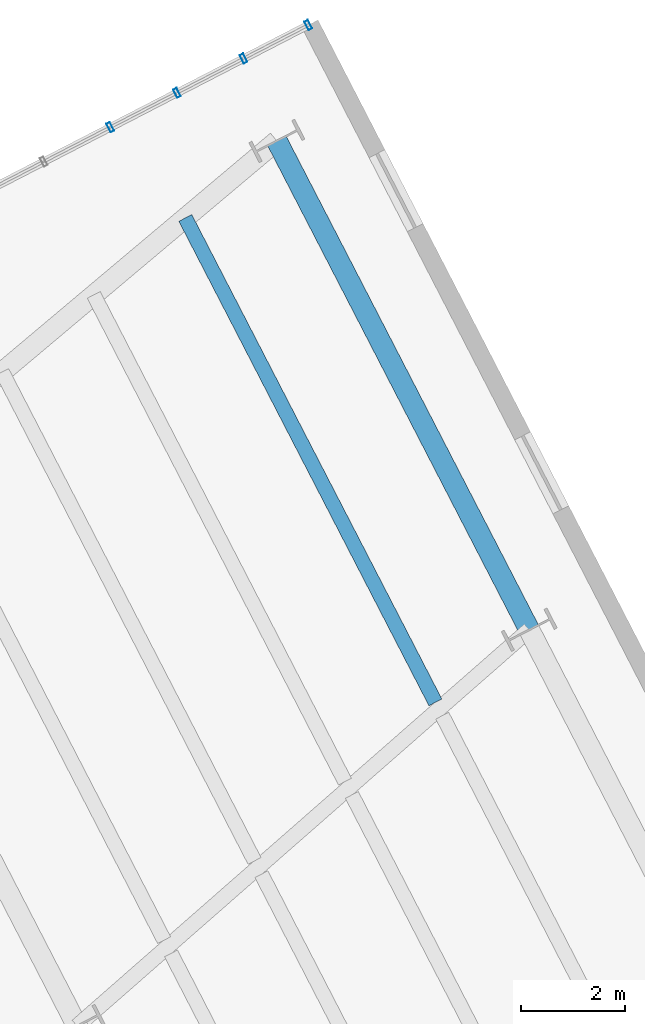
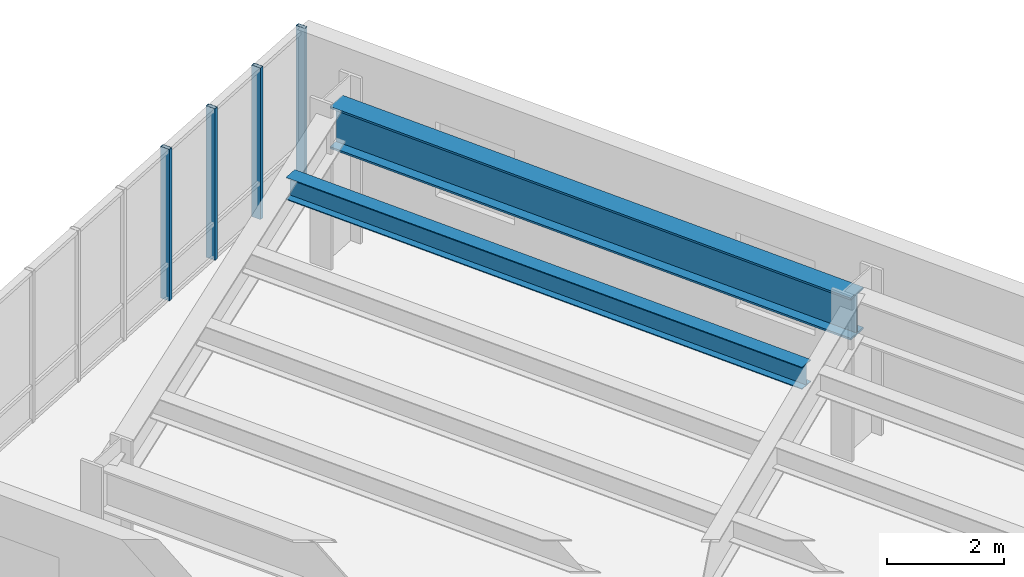
# One storey, part 4 of 11: 4 members, 2 beams, 1 element without a shape of its own.
"""IFC4 building model written with IfcOpenShell, lengths in metres."""

import ifcopenshell
import ifcopenshell.guid

model = None  # the IFC model being written
_history = None  # IfcOwnerHistory: only IFC2X3 demands one
_inside = {}  # id of a spatial element -> (the spatial element, [elements in it])
_under = {}  # id of a project, library or spatial element -> (it, [spatial elements below it])
_declared = {}  # id of a project -> (the project, [libraries it declares])
_typed = {}  # id of a type object -> (the type object, [elements of that type])
_made_of = {}  # id of a material, layer set ... -> (it, [elements and type objects made of it])


def new_model(schema):
    """Start an empty IFC model of exactly this schema.

    Asked for "IFC4X3", IfcOpenShell would pick the latest addendum, in which some entities
    have other attributes; the version numbers below select the first issue.
    IFC2X3 requires an IfcOwnerHistory on every rooted entity: one is made here for all.
    """
    global model, _history
    if schema == "IFC4X3":
        model = ifcopenshell.file(schema_version=(4, 3, 0, 0))
    else:
        model = ifcopenshell.file(schema=schema)
    _inside.clear()
    _under.clear()
    _declared.clear()
    _typed.clear()
    _made_of.clear()
    _history = None
    if model.schema == "IFC2X3":
        org = make("IfcOrganization", Name="unknown")
        user = make(
            "IfcPersonAndOrganization",
            ThePerson=make("IfcPerson", FamilyName="unknown"),
            TheOrganization=org,
        )
        app = make(
            "IfcApplication",
            ApplicationDeveloper=org,
            Version="unknown",
            ApplicationFullName="unknown",
            ApplicationIdentifier="unknown",
        )
        _history = make(
            "IfcOwnerHistory",
            OwningUser=user,
            OwningApplication=app,
            ChangeAction="ADDED",
            CreationDate=0,
        )
    return model


def make(cls, **values):
    """One entity of the class cls with the attributes given. An attribute that is None is left unset."""
    return model.create_entity(
        cls, **{name: value for name, value in values.items() if value is not None}
    )


def rooted(cls, **values):
    """An entity with a GlobalId (a new one), such as an element, a storey or a relation."""
    return make(cls, GlobalId=ifcopenshell.guid.new(), OwnerHistory=_history, **values)


def si_unit(unit_type, name, prefix=None):
    """IfcSIUnit, for example si_unit("LENGTHUNIT", "METRE", prefix="MILLI")."""
    return make("IfcSIUnit", UnitType=unit_type, Prefix=prefix, Name=name)


def assignment(units):
    """IfcUnitAssignment: the units of a project."""
    return None if units is None else make("IfcUnitAssignment", Units=units)


def point(xyz):
    """IfcCartesianPoint."""
    return None if xyz is None else make("IfcCartesianPoint", Coordinates=xyz)


def direction(xyz):
    """IfcDirection."""
    return None if xyz is None else make("IfcDirection", DirectionRatios=xyz)


def frame(location, z_axis=None, x_axis=None):
    """IfcAxis2Placement3D, a coordinate frame: its origin and axes. An axis left out is left unset."""
    return make(
        "IfcAxis2Placement3D",
        Location=point(location),
        Axis=direction(z_axis),
        RefDirection=direction(x_axis),
    )


def frame_2d(location, x_axis=None):
    """IfcAxis2Placement2D, a coordinate frame in the plane: its origin and x axis."""
    return make(
        "IfcAxis2Placement2D", Location=point(location), RefDirection=direction(x_axis)
    )


def origin():
    """The frame at (0, 0, 0) with its axes left unset."""
    return frame((0.0, 0.0, 0.0))


def origin_2d():
    """The frame at (0, 0) in the plane with its x axis left unset."""
    return frame_2d((0.0, 0.0))


def place(relative_to, where):
    """IfcLocalPlacement: puts the frame where relative to a parent placement (None: the world)."""
    return make(
        "IfcLocalPlacement", PlacementRelTo=relative_to, RelativePlacement=where
    )


def context(
    kind, dimensions, precision=None, world=None, true_north=None, identifier=None
):
    """IfcGeometricRepresentationContext, for example the 3D "Model" context."""
    return make(
        "IfcGeometricRepresentationContext",
        ContextIdentifier=identifier,
        ContextType=kind,
        CoordinateSpaceDimension=dimensions,
        Precision=precision,
        WorldCoordinateSystem=world,
        TrueNorth=true_north,
    )


def subcontext(parent, identifier, kind, view, scale=None):
    """IfcGeometricRepresentationSubContext, for example "Body" below "Model"."""
    return make(
        "IfcGeometricRepresentationSubContext",
        ContextIdentifier=identifier,
        ContextType=kind,
        ParentContext=parent,
        TargetScale=scale,
        TargetView=view,
    )


def project(units=None, contexts=None):
    """IfcProject with its units and contexts."""
    return rooted(
        "IfcProject",
        Name="project",
        RepresentationContexts=contexts,
        UnitsInContext=assignment(units),
    )


def spatial(cls, under=None, at=None, **own):
    """A site, building, storey or space (cls), placed at a placement, below another one or the project."""
    s = rooted(cls, ObjectPlacement=at, **own)
    if under is not None:
        _under.setdefault(under.id(), (under, []))[1].append(s)
    return s


def profile(cls, at=None, kind="AREA", **sizes):
    """A parametric profile (cls). Its sizes go by their IFC names, for example OverallWidth=200.0."""
    return make(cls, ProfileType=kind, Position=at, **sizes)


def hollow_rectangle(**sizes):
    """IfcRectangleHollowProfileDef."""
    return profile("IfcRectangleHollowProfileDef", **sizes)


def i_section(**sizes):
    """IfcIShapeProfileDef."""
    return profile("IfcIShapeProfileDef", **sizes)


def extrude(swept, where, along, depth):
    """IfcExtrudedAreaSolid: the profile swept, set in the frame where, extruded along a direction by depth."""
    return make(
        "IfcExtrudedAreaSolid",
        SweptArea=swept,
        Position=where,
        ExtrudedDirection=direction(along),
        Depth=depth,
    )


def shape(context_of_items, identifier, shape_type, items):
    """IfcShapeRepresentation: the items that make up one representation, for example the "Body"."""
    return make(
        "IfcShapeRepresentation",
        ContextOfItems=context_of_items,
        RepresentationIdentifier=identifier,
        RepresentationType=shape_type,
        Items=items,
    )


def material(Name=None, Category=None):
    """IfcMaterial."""
    return make("IfcMaterial", Name=Name, Category=Category)


def layer(
    of_material, thickness, ventilated=None, Name=None, Category=None, Priority=None
):
    """IfcMaterialLayer: one layer of a wall or slab, of a material (None: an air gap)."""
    return make(
        "IfcMaterialLayer",
        Material=of_material,
        LayerThickness=thickness,
        IsVentilated=ventilated,
        Name=Name,
        Category=Category,
        Priority=Priority,
    )


def layer_set(layers, Name=None):
    """IfcMaterialLayerSet."""
    return make("IfcMaterialLayerSet", MaterialLayers=layers, LayerSetName=Name)


def material_profile(
    of_material, cross_section, Name=None, Category=None, Priority=None
):
    """IfcMaterialProfile: a cross section and its material."""
    return make(
        "IfcMaterialProfile",
        Name=Name,
        Material=of_material,
        Profile=cross_section,
        Priority=Priority,
        Category=Category,
    )


def profile_set(profiles, Name=None, composite=None):
    """IfcMaterialProfileSet."""
    return make(
        "IfcMaterialProfileSet",
        Name=Name,
        MaterialProfiles=profiles,
        CompositeProfile=composite,
    )


def made_of(thing, what):
    """Note that an element or type object is made of a material, layer set ...; save() writes the relation."""
    if what is not None:
        _made_of.setdefault(what.id(), (what, []))[1].append(thing)
    return thing


def type_object(cls, material=None, **own):
    """A type object (cls), such as IfcWallType, which elements share."""
    return made_of(rooted(cls, **own), material)


def element(
    cls,
    number,
    at=None,
    inside=None,
    cuts=None,
    type_object=None,
    material=None,
    context=None,
    identifier="Body",
    shape_type=None,
    held_by="IfcProductDefinitionShape",
    body=None,
    shapes=None,
    **own,
):
    """One element of the class cls, such as IfcWall. Its Tag is "e" and its number.

    at: its placement. inside: the storey or other place that contains it. cuts: it is an
    opening in that element (IfcRelVoidsElement). A single representation is given by context,
    identifier, shape_type and body (its items); several are given by shapes. held_by: the class
    of the entity that holds the representations. save() writes the other relations.
    """
    e = rooted(cls, Tag="e%d" % number, ObjectPlacement=at, **own)
    if body is not None:
        shapes = [shape(context, identifier, shape_type, body)]
    if shapes is not None:
        e.Representation = make(held_by, Representations=shapes)
    if inside is not None:
        _inside.setdefault(inside.id(), (inside, []))[1].append(e)
    if cuts is not None:
        rooted(
            "IfcRelVoidsElement", RelatingBuildingElement=cuts, RelatedOpeningElement=e
        )
    if type_object is not None:
        _typed.setdefault(type_object.id(), (type_object, []))[1].append(e)
    return made_of(e, material)


def aggregate(whole, parts):
    """IfcRelAggregates: a whole, such as a stair, and the parts it consists of."""
    return rooted("IfcRelAggregates", RelatingObject=whole, RelatedObjects=parts)


def save(model, path):
    """Write the relations noted so far, then the file.

    IfcRelAggregates (storeys below a building ...), IfcRelContainedInSpatialStructure (elements
    in a storey), IfcRelDefinesByType, IfcRelAssociatesMaterial and IfcRelDeclares: one each for
    every whole, place, type object, material and project.
    """
    for whole, parts in _under.values():
        aggregate(whole, parts)
    for where, things in _inside.values():
        rooted(
            "IfcRelContainedInSpatialStructure",
            RelatedElements=things,
            RelatingStructure=where,
        )
    for kind, things in _typed.values():
        rooted("IfcRelDefinesByType", RelatedObjects=things, RelatingType=kind)
    for what, things in _made_of.values():
        rooted("IfcRelAssociatesMaterial", RelatedObjects=things, RelatingMaterial=what)
    for by, libraries in _declared.values():
        rooted("IfcRelDeclares", RelatingContext=by, RelatedDefinitions=libraries)
    model.write(path)


model = new_model("IFC4")

# Units and contexts
model_context = context("Model", 3, precision=1e-05, world=origin(), true_north=direction((0.0, 1.0)))
body_context = subcontext(model_context, "Body", "Model", "MODEL_VIEW")
ifc_project = project(units=[si_unit("LENGTHUNIT", "METRE"), si_unit("AREAUNIT", "SQUARE_METRE"), si_unit("VOLUMEUNIT", "CUBIC_METRE"), si_unit("PLANEANGLEUNIT", "RADIAN"), si_unit("MASSUNIT", "GRAM", prefix="KILO"), si_unit("THERMODYNAMICTEMPERATUREUNIT", "KELVIN"), si_unit("POWERUNIT", "WATT")], contexts=[model_context])

# Site, building, storey
site_placement = place(None, origin())
site = spatial("IfcSite", under=ifc_project, at=site_placement, CompositionType="ELEMENT")
building_placement = place(site_placement, origin())
building = spatial("IfcBuilding", under=site, at=building_placement, Name="Skarre Station Tower", CompositionType="ELEMENT")
storey_placement = place(building_placement, frame((0.0, 0.0, 139.5)))
storey = spatial("IfcBuildingStorey", under=building, at=storey_placement, Name="L37", CompositionType="ELEMENT", Elevation=139.5)

# Curtain wall, members
ifc_material_1 = material(Name="Thermally Broken Bronze-Anodized Aluminium & Triple Low-E Glass", Category="aluminium")
ifc_layer = layer(ifc_material_1, 0.2099609375, Name="Thermally Broken Bronze-Anodized Aluminium & Triple Low-E Glass")
ifc_layer_set = layer_set([ifc_layer], Name="Thermally Broken Bronze-Anodized Aluminium & Triple Low-E Glass")
curtain_wall_type = type_object("IfcCurtainWallType", Name="Sky-Bar Prow Structural Glazed Curtain Wall", PredefinedType="NOTDEFINED", material=ifc_layer_set)
curtain_wall_placement = place(storey_placement, origin())
curtain_wall = element("IfcCurtainWall", 1, at=curtain_wall_placement, inside=storey, type_object=curtain_wall_type, Name="L37 SB-3 Lakefront Prow Curtain Wall", PredefinedType="NOTDEFINED")
ifc_material_2 = material(Name="Anodized Aluminium 6063-T6", Category="aluminium")
ifc_material_profile_1 = material_profile(ifc_material_2, hollow_rectangle(XDim=0.074951171875, YDim=0.179931640625, WallThickness=0.00390625, at=origin_2d()), Name="Anodized Aluminium 6063-T6")
ifc_profile_set_1 = profile_set([ifc_material_profile_1], Name="Anodized Aluminium 6063-T6")
member_type = type_object("IfcMemberType", Name="Curtain-Wall Unitised Tower Mullion 180x75", PredefinedType="MULLION", material=ifc_profile_set_1)
member_1_placement = place(storey_placement, frame((19.236083984375, 58.6298828125, 0.0), z_axis=(0.0, 0.0, 1.0), x_axis=(0.888601222224, 0.458680572798, 0.0)))
member_1 = element("IfcMember", 2, at=member_1_placement, type_object=member_type, Name="L37 SB-3 Lakefront Prow Curtain Wall Mullion 8", PredefinedType="MULLION", context=body_context, shape_type="SweptSolid", body=[
    extrude(hollow_rectangle(XDim=0.074951171875, YDim=0.179931640625, WallThickness=0.00390625, at=origin_2d()), origin(), (0.0, 0.0, 1.0), 3.159912109375),
])
member_2_placement = place(storey_placement, frame((20.51611328125, 59.2900390625, 0.0), z_axis=(0.0, 0.0, 1.0), x_axis=(0.888601222224, 0.458680572798, 0.0)))
member_2 = element("IfcMember", 3, at=member_2_placement, type_object=member_type, Name="L37 SB-3 Lakefront Prow Curtain Wall Mullion 9", PredefinedType="MULLION", context=body_context, shape_type="SweptSolid", body=[
    extrude(hollow_rectangle(XDim=0.074951171875, YDim=0.179931640625, WallThickness=0.00390625, at=origin_2d()), origin(), (0.0, 0.0, 1.0), 3.159912109375),
])
member_3_placement = place(storey_placement, frame((21.794921875, 59.949951171875, 0.0), z_axis=(0.0, 0.0, 1.0), x_axis=(0.888601222224, 0.458680572798, 0.0)))
member_3 = element("IfcMember", 4, at=member_3_placement, type_object=member_type, Name="L37 SB-3 Lakefront Prow Curtain Wall Mullion 10", PredefinedType="MULLION", context=body_context, shape_type="SweptSolid", body=[
    extrude(hollow_rectangle(XDim=0.074951171875, YDim=0.179931640625, WallThickness=0.00390625, at=origin_2d()), origin(), (0.0, 0.0, 1.0), 3.159912109375),
])
member_4_placement = place(storey_placement, frame((23.0390625, 60.593017578125, 0.0), z_axis=(0.0, 0.0, 1.0), x_axis=(0.888601222224, 0.458680572798, 0.0)))
member_4 = element("IfcMember", 5, at=member_4_placement, type_object=member_type, Name="L37 SB-3 Lakefront Prow Curtain Wall Mullion 11", PredefinedType="MULLION", context=body_context, shape_type="SweptSolid", body=[
    extrude(hollow_rectangle(XDim=0.074951171875, YDim=0.179931640625, WallThickness=0.00390625, at=origin_2d()), origin(), (0.0, 0.0, 1.0), 3.159912109375),
])
aggregate(curtain_wall, [member_1, member_2, member_3, member_4])

# Beams
ifc_material_3 = material(Name="Steel ASTM A992 Grade 50", Category="steel")
ifc_material_profile_2 = material_profile(ifc_material_3, i_section(OverallWidth=0.40087890625, OverallDepth=0.876953125, WebThickness=0.02197265625, FlangeThickness=0.0400390625, at=origin_2d()), Name="Steel ASTM A992 Grade 50")
ifc_profile_set_2 = profile_set([ifc_material_profile_2], Name="Steel ASTM A992 Grade 50")
beam_type_1 = type_object("IfcBeamType", Name="Steel Beam W33X263", PredefinedType="BEAM", material=ifc_profile_set_2)
beam_1_placement = place(storey_placement, frame((27.283935546875, 48.97607421875, 2.720947265625), z_axis=(-0.458679988111, 0.888601524029, 0.0), x_axis=(-0.888601524029, -0.458679988111, 0.0)))
element("IfcBeam", 6, at=beam_1_placement, inside=storey, type_object=beam_type_1, Name="L37 SB-3 Side 1 Outer Girder", PredefinedType="BEAM", context=body_context, shape_type="SweptSolid", body=[
    extrude(i_section(OverallWidth=0.40087890625, OverallDepth=0.876953125, WebThickness=0.02197265625, FlangeThickness=0.0400390625, at=origin_2d()), origin(), (0.0, 0.0, 1.0), 10.5693359375),
])
ifc_material_profile_3 = material_profile(ifc_material_3, i_section(OverallWidth=0.280029296875, OverallDepth=0.462890625, WebThickness=0.010986328125, FlangeThickness=0.01708984375, at=origin_2d()), Name="Steel ASTM A992 Grade 50")
ifc_profile_set_3 = profile_set([ifc_material_profile_3], Name="Steel ASTM A992 Grade 50")
beam_type_2 = type_object("IfcBeamType", Name="Steel Joist W18X76", PredefinedType="JOIST", material=ifc_profile_set_3)
beam_2_placement = place(storey_placement, frame((25.48095703125, 47.58203125, 2.927978515625), z_axis=(-0.458711207207, 0.888585408604, 0.0), x_axis=(-0.888585408604, -0.458711207207, 0.0)))
element("IfcBeam", 7, at=beam_2_placement, inside=storey, type_object=beam_type_2, Name="L37 SB-3 Outer Deck Joist 1", PredefinedType="JOIST", context=body_context, shape_type="SweptSolid", body=[
    extrude(i_section(OverallWidth=0.280029296875, OverallDepth=0.462890625, WebThickness=0.010986328125, FlangeThickness=0.01708984375, at=origin_2d()), origin(), (0.0, 0.0, 1.0), 10.47265625),
])

save(model, "model.ifc")
